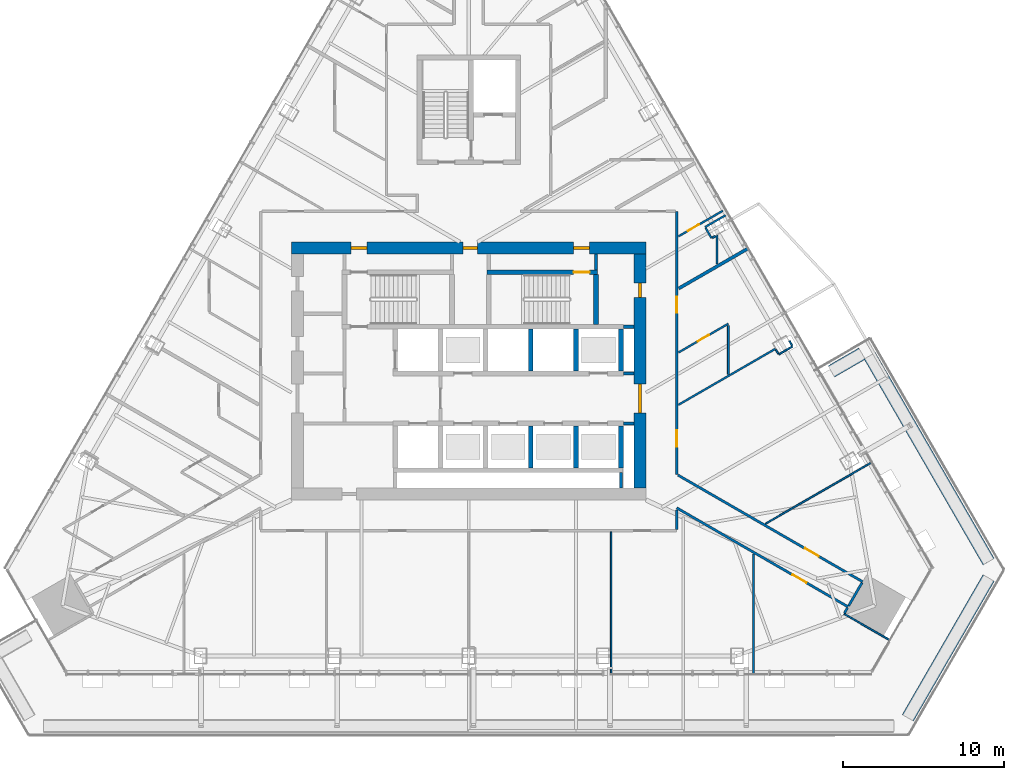
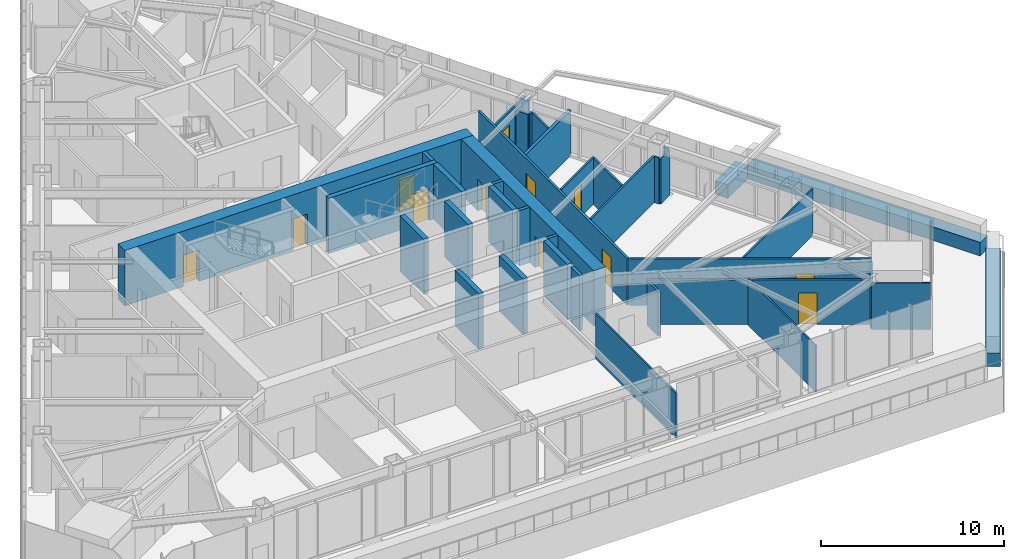
# One storey, part 16 of 21: 40 walls, 12 doors, 12 openings.
"""IFC4 building model written with IfcOpenShell, lengths in metres."""

from ifc_helpers import new_model, si_unit, direction, frame, frame_2d, origin, place, context, subcontext, project, spatial, rectangle, extrude, material, layer, layer_set, type_object, element, fill, save


model = new_model("IFC4")

# Units and contexts
model_context = context("Model", 3, precision=1e-05, world=origin(), true_north=direction((0.0, 1.0)))
body_context = subcontext(model_context, "Body", "Model", "MODEL_VIEW")
ifc_project = project(units=[si_unit("LENGTHUNIT", "METRE"), si_unit("AREAUNIT", "SQUARE_METRE"), si_unit("VOLUMEUNIT", "CUBIC_METRE"), si_unit("PLANEANGLEUNIT", "RADIAN"), si_unit("MASSUNIT", "GRAM", prefix="KILO")], contexts=[model_context])

# Site, building, storey
site_placement = place(None, origin())
site = spatial("IfcSite", under=ifc_project, at=site_placement, CompositionType="ELEMENT")
building_placement = place(site_placement, origin())
building = spatial("IfcBuilding", under=site, at=building_placement, Name="Firuza Gate Tower and Library", CompositionType="ELEMENT")
storey_placement = place(building_placement, frame((0.0, 0.0, 222.10009765625)))
storey = spatial("IfcBuildingStorey", under=building, at=storey_placement, Name="L52", CompositionType="ELEMENT", Elevation=222.10009765625)

# Walls
ifc_material_1 = material(Name="Plasterboard on steel studs", Category="steel")
ifc_layer_1 = layer(ifc_material_1, 0.199951171875)
ifc_layer_set_1 = layer_set([ifc_layer_1], Name="Core partition 200 EI 120")
wall_type_1 = type_object("IfcWallType", Name="Core partition 200 EI 120", PredefinedType="PARTITIONING", material=ifc_layer_set_1)
for number, where, z_axis, x_axis, name in (
    (1, (84.60009765625, 71.75, 0.0), (0.0, 0.0, 1.0), (1.0, 0.0, 0.0), "Core partition L52 2"),
    (2, (84.60009765625, 74.85009765625, 0.0), (0.0, 0.0, 1.0), (1.0, 0.0, 0.0), "Core partition L52 4"),
    (3, (84.60009765625, 77.75, 0.0), (0.0, 0.0, 1.0), (1.0, 0.0, 0.0), "Core partition L52 5"),
):
    element("IfcWall", number, at=place(storey_placement, frame(where, z_axis=z_axis, x_axis=x_axis)), inside=storey, type_object=wall_type_1, Name=name, PredefinedType="PARTITIONING", context=body_context, shape_type="SweptSolid", body=[
        extrude(rectangle(XDim=0.64990234375, YDim=0.199951171875, at=frame_2d((0.324951171875, 0.0))), origin(), (0.0, 0.0, 1.0), 3.699951171875),
    ])
wall_1_placement = place(storey_placement, frame((84.449951171875, 67.75, 0.0), z_axis=(0.0, 0.0, 1.0), x_axis=(0.0, 1.0, 0.0)))
element("IfcWall", 4, at=wall_1_placement, inside=storey, type_object=wall_type_1, Name="Core partition L52 14", PredefinedType="PARTITIONING", context=body_context, shape_type="SweptSolid", body=[
    extrude(rectangle(XDim=0.949951171875, YDim=0.199951171875, at=frame_2d((0.47509765625, 0.0))), origin(), (0.0, 0.0, 1.0), 3.699951171875),
])
ifc_material_2 = material(Name="Plasterboard on steel studs", Category="steel")
ifc_layer_2 = layer(ifc_material_2, 0.199951171875)
ifc_layer_set_2 = layer_set([ifc_layer_2], Name="Core partition 200 EI 60")
wall_type_2 = type_object("IfcWallType", Name="Core partition 200 EI 60", PredefinedType="PARTITIONING", material=ifc_layer_set_2)
wall_2_placement = place(storey_placement, frame((82.89990234375, 81.280029296875, 0.0), z_axis=(0.0, 0.0, 1.0), x_axis=(0.0, 1.0, 0.0)))
element("IfcWall", 5, at=wall_2_placement, inside=storey, type_object=wall_type_2, Name="Core partition L52 13", PredefinedType="PARTITIONING", context=body_context, shape_type="SweptSolid", body=[
    extrude(rectangle(XDim=0.969970703125, YDim=0.199951171875, at=frame_2d((0.48486328125, 0.0))), origin(), (0.0, 0.0, 1.0), 3.699951171875),
])
ifc_material_3 = material(Name="Concrete C80/95", Category="concrete")
ifc_layer_3 = layer(ifc_material_3, 0.300048828125)
ifc_layer_set_3 = layer_set([ifc_layer_3], Name="Core wall 300 C80/95")
wall_type_3 = type_object("IfcWallType", Name="Core wall 300 C80/95", PredefinedType="SHEAR", material=ifc_layer_set_3)
for number, where, z_axis, x_axis, name in (
    (6, (78.85009765625, 69.0, 0.0), (0.0, 0.0, 1.0), (0.0, 1.0, 0.0), "Core wall L52 14"),
    (7, (78.85009765625, 75.0, 0.0), (0.0, 0.0, 1.0), (0.0, 1.0, 0.0), "Core wall L52 15"),
    (8, (81.64990234375, 69.0, 0.0), (0.0, 0.0, 1.0), (0.0, 1.0, 0.0), "Core wall L52 16"),
    (9, (81.64990234375, 75.0, 0.0), (0.0, 0.0, 1.0), (0.0, 1.0, 0.0), "Core wall L52 17"),
    (10, (84.449951171875, 69.0, 0.0), (0.0, 0.0, 1.0), (0.0, 1.0, 0.0), "Core wall L52 18"),
    (11, (84.449951171875, 75.0, 0.0), (0.0, 0.0, 1.0), (0.0, 1.0, 0.0), "Core wall L52 19"),
):
    element("IfcWall", number, at=place(storey_placement, frame(where, z_axis=z_axis, x_axis=x_axis)), inside=storey, type_object=wall_type_3, Name=name, PredefinedType="SHEAR", context=body_context, shape_type="SweptSolid", body=[
        extrude(rectangle(XDim=2.60009765625, YDim=0.300048828125, at=frame_2d((1.300048828125, 0.0))), origin(), (0.0, 0.0, 1.0), 3.699951171875),
    ])

# Wall, opening, door
wall_3_placement = place(storey_placement, frame((76.139892578125, 81.1298828125, 0.0), z_axis=(0.0, 0.0, 1.0), x_axis=(1.0, 0.0, 0.0)))
wall_3 = element("IfcWall", 12, at=wall_3_placement, inside=storey, type_object=wall_type_3, Name="Core wall L52 22", PredefinedType="SHEAR", context=body_context, shape_type="SweptSolid", body=[
    extrude(rectangle(XDim=6.860107421875, YDim=0.300048828125, at=frame_2d((3.43017578125, 0.0))), origin(), (0.0, 0.0, 1.0), 3.699951171875),
])
opening_1_placement = place(wall_3_placement, frame((5.364990234375, 0.0, 0.0)))
opening_1 = element("IfcOpeningElement", 13, at=opening_1_placement, cuts=wall_3, Name="Opening L52-K13", PredefinedType="OPENING", context=body_context, shape_type="SweptSolid", body=[
    extrude(rectangle(XDim=1.0, YDim=2.10009765625, at=frame_2d((0.5, 1.050048828125))), frame((0.0, 0.16015625, 0.0), z_axis=(0.0, -1.0, 0.0), x_axis=(1.0, 0.0, 0.0)), (0.0, 0.0, 1.0), 0.320068359375),
])
ifc_material_4 = material(Name="Steel", Category="steel")
door_type_1 = type_object("IfcDoorType", Name="Fire door 1000x2100 FD90", OperationType="NOTDEFINED", PredefinedType="DOOR", material=ifc_material_4)
door_1_placement = place(opening_1_placement, origin())
door_1 = element("IfcDoor", 14, at=door_1_placement, inside=storey, type_object=door_type_1, Name="Door L52-K13", OperationType="SINGLE_SWING_RIGHT", OverallHeight=2.10009765625, OverallWidth=1.0, PredefinedType="DOOR", context=body_context, shape_type="SweptSolid", body=[
    extrude(rectangle(XDim=1.0, YDim=2.10009765625, at=frame_2d((0.5, 1.050048828125))), frame((0.0, 0.02490234375, 0.0), z_axis=(0.0, -1.0, 0.0), x_axis=(1.0, 0.0, 0.0)), (0.0, 0.0, 1.0), 0.050048828125),
])
fill(opening_1, door_1)

# Wall
wall_4_placement = place(storey_placement, frame((82.89990234375, 77.89990234375, 0.0), z_axis=(0.0, 0.0, 1.0), x_axis=(0.0, 1.0, 0.0)))
element("IfcWall", 15, at=wall_4_placement, inside=storey, type_object=wall_type_3, Name="Core wall L52 26", PredefinedType="SHEAR", context=body_context, shape_type="SweptSolid", body=[
    extrude(rectangle(XDim=3.080078125, YDim=0.300048828125, at=frame_2d((1.5400390625, 0.0))), origin(), (0.0, 0.0, 1.0), 3.699951171875),
])

# Wall, openings, doors
ifc_material_5 = material(Name="Concrete C80/95", Category="concrete")
ifc_layer_4 = layer(ifc_material_5, 0.75)
ifc_layer_set_4 = layer_set([ifc_layer_4], Name="Core wall 750 C80/95")
wall_type_4 = type_object("IfcWallType", Name="Core wall 750 C80/95", PredefinedType="SHEAR", material=ifc_layer_set_4)
wall_5_placement = place(storey_placement, frame((64.0, 82.625, 0.0), z_axis=(0.0, 0.0, 1.0), x_axis=(1.0, 0.0, 0.0)))
wall_5 = element("IfcWall", 16, at=wall_5_placement, inside=storey, type_object=wall_type_4, Name="Core wall L52 2", PredefinedType="SHEAR", context=body_context, shape_type="SweptSolid", body=[
    extrude(rectangle(XDim=22.0, YDim=0.75, at=frame_2d((11.0, 0.0))), origin(), (0.0, 0.0, 1.0), 3.699951171875),
])
opening_2_placement = place(wall_5_placement, frame((3.695068359375, 0.0, 0.0)))
opening_2 = element("IfcOpeningElement", 17, at=opening_2_placement, cuts=wall_5, Name="Opening L52-K12", PredefinedType="OPENING", context=body_context, shape_type="SweptSolid", body=[
    extrude(rectangle(XDim=1.0, YDim=2.10009765625, at=frame_2d((0.5, 1.050048828125))), frame((0.0, 0.385009765625, 0.0), z_axis=(0.0, -1.0, 0.0), x_axis=(1.0, 0.0, 0.0)), (0.0, 0.0, 1.0), 0.77001953125),
])
opening_3_placement = place(wall_5_placement, frame((17.5048828125, 0.0, 0.0)))
opening_3 = element("IfcOpeningElement", 18, at=opening_3_placement, cuts=wall_5, Name="Opening L52-K14", PredefinedType="OPENING", context=body_context, shape_type="SweptSolid", body=[
    extrude(rectangle(XDim=1.0, YDim=2.10009765625, at=frame_2d((0.5, 1.050048828125))), frame((0.0, 0.385009765625, 0.0), z_axis=(0.0, -1.0, 0.0), x_axis=(1.0, 0.0, 0.0)), (0.0, 0.0, 1.0), 0.77001953125),
])
opening_4_placement = place(wall_5_placement, frame((10.64990234375, 0.0, 0.0)))
opening_4 = element("IfcOpeningElement", 19, at=opening_4_placement, cuts=wall_5, Name="Opening L52-K25", PredefinedType="OPENING", context=body_context, shape_type="SweptSolid", body=[
    extrude(rectangle(XDim=0.89990234375, YDim=2.10009765625, at=frame_2d((0.449951171875, 1.050048828125))), frame((0.0, 0.385009765625, 0.0), z_axis=(0.0, -1.0, 0.0), x_axis=(1.0, 0.0, 0.0)), (0.0, 0.0, 1.0), 0.77001953125),
])
door_2_placement = place(opening_2_placement, origin())
door_2 = element("IfcDoor", 20, at=door_2_placement, inside=storey, type_object=door_type_1, Name="Door L52-K12", OperationType="SINGLE_SWING_LEFT", OverallHeight=2.10009765625, OverallWidth=1.0, PredefinedType="DOOR", context=body_context, shape_type="SweptSolid", body=[
    extrude(rectangle(XDim=1.0, YDim=2.10009765625, at=frame_2d((0.5, 1.050048828125))), frame((0.0, 0.094970703125, 0.0), z_axis=(0.0, -1.0, 0.0), x_axis=(1.0, 0.0, 0.0)), (0.0, 0.0, 1.0), 0.18994140625),
])
fill(opening_2, door_2)
door_3_placement = place(opening_3_placement, origin())
door_3 = element("IfcDoor", 21, at=door_3_placement, inside=storey, type_object=door_type_1, Name="Door L52-K14", OperationType="SINGLE_SWING_LEFT", OverallHeight=2.10009765625, OverallWidth=1.0, PredefinedType="DOOR", context=body_context, shape_type="SweptSolid", body=[
    extrude(rectangle(XDim=1.0, YDim=2.10009765625, at=frame_2d((0.5, 1.050048828125))), frame((0.0, 0.094970703125, 0.0), z_axis=(0.0, -1.0, 0.0), x_axis=(1.0, 0.0, 0.0)), (0.0, 0.0, 1.0), 0.18994140625),
])
fill(opening_3, door_3)
ifc_material_6 = material(Name="Steel", Category="steel")
door_type_2 = type_object("IfcDoorType", Name="Fire door 900x2100 FD30S", OperationType="NOTDEFINED", PredefinedType="DOOR", material=ifc_material_6)
door_4_placement = place(opening_4_placement, origin())
door_4 = element("IfcDoor", 22, at=door_4_placement, inside=storey, type_object=door_type_2, Name="Door L52-K25", OperationType="SINGLE_SWING_RIGHT", OverallHeight=2.10009765625, OverallWidth=0.89990234375, PredefinedType="DOOR", context=body_context, shape_type="SweptSolid", body=[
    extrude(rectangle(XDim=0.89990234375, YDim=2.10009765625, at=frame_2d((0.449951171875, 1.050048828125))), frame((0.0, 0.094970703125, 0.0), z_axis=(0.0, -1.0, 0.0), x_axis=(1.0, 0.0, 0.0)), (0.0, 0.0, 1.0), 0.18994140625),
])
fill(opening_4, door_4)

wall_6_placement = place(storey_placement, frame((85.625, 67.75, 0.0), z_axis=(0.0, 0.0, 1.0), x_axis=(0.0, 1.0, 0.0)))
wall_6 = element("IfcWall", 23, at=wall_6_placement, inside=storey, type_object=wall_type_4, Name="Core wall L52 4", PredefinedType="SHEAR", context=body_context, shape_type="SweptSolid", body=[
    extrude(rectangle(XDim=14.5, YDim=0.75, at=frame_2d((7.25, 0.0))), origin(), (0.0, 0.0, 1.0), 3.699951171875),
])
opening_5_placement = place(wall_6_placement, frame((4.64990234375, 0.0, 0.0)))
opening_5 = element("IfcOpeningElement", 24, at=opening_5_placement, cuts=wall_6, Name="Opening L52-K21", PredefinedType="OPENING", context=body_context, shape_type="SweptSolid", body=[
    extrude(rectangle(XDim=1.800048828125, YDim=2.10009765625, at=frame_2d((0.89990234375, 1.050048828125))), frame((0.0, 0.385009765625, 0.0), z_axis=(0.0, -1.0, 0.0), x_axis=(1.0, 0.0, 0.0)), (0.0, 0.0, 1.0), 0.77001953125),
])
opening_6_placement = place(wall_6_placement, frame((11.800048828125, 0.0, 0.0)))
opening_6 = element("IfcOpeningElement", 25, at=opening_6_placement, cuts=wall_6, Name="Opening L52-K26", PredefinedType="OPENING", context=body_context, shape_type="SweptSolid", body=[
    extrude(rectangle(XDim=0.89990234375, YDim=2.10009765625, at=frame_2d((0.449951171875, 1.050048828125))), frame((0.0, 0.385009765625, 0.0), z_axis=(0.0, -1.0, 0.0), x_axis=(1.0, 0.0, 0.0)), (0.0, 0.0, 1.0), 0.77001953125),
])
ifc_material_7 = material(Name="Steel", Category="steel")
door_type_3 = type_object("IfcDoorType", Name="Fire door 1800x2100 FD30S", OperationType="NOTDEFINED", PredefinedType="DOOR", material=ifc_material_7)
door_5_placement = place(opening_5_placement, origin())
door_5 = element("IfcDoor", 26, at=door_5_placement, inside=storey, type_object=door_type_3, Name="Door L52-K21", OperationType="SINGLE_SWING_RIGHT", OverallHeight=2.10009765625, OverallWidth=1.800048828125, PredefinedType="DOOR", context=body_context, shape_type="SweptSolid", body=[
    extrude(rectangle(XDim=1.800048828125, YDim=2.10009765625, at=frame_2d((0.89990234375, 1.050048828125))), frame((0.0, 0.094970703125, 0.0), z_axis=(0.0, -1.0, 0.0), x_axis=(1.0, 0.0, 0.0)), (0.0, 0.0, 1.0), 0.18994140625),
])
fill(opening_5, door_5)
door_6_placement = place(opening_6_placement, origin())
door_6 = element("IfcDoor", 27, at=door_6_placement, inside=storey, type_object=door_type_2, Name="Door L52-K26", OperationType="SINGLE_SWING_LEFT", OverallHeight=2.10009765625, OverallWidth=0.89990234375, PredefinedType="DOOR", context=body_context, shape_type="SweptSolid", body=[
    extrude(rectangle(XDim=0.89990234375, YDim=2.10009765625, at=frame_2d((0.449951171875, 1.050048828125))), frame((0.0, 0.094970703125, 0.0), z_axis=(0.0, -1.0, 0.0), x_axis=(1.0, 0.0, 0.0)), (0.0, 0.0, 1.0), 0.18994140625),
])
fill(opening_6, door_6)

# Walls
ifc_material_8 = material(Name="Gypsum board partition")
ifc_layer_5 = layer(ifc_material_8, 0.14990234375)
ifc_layer_set_5 = layer_set([ifc_layer_5], Name="Corridor wall 150 double board on steel studs")
wall_type_5 = type_object("IfcWallType", Name="Corridor wall 150 double board on steel studs", PredefinedType="PARTITIONING", material=ifc_layer_set_5)
wall_7_placement = place(storey_placement, frame((98.306396484375, 59.98583984375, 0.0), z_axis=(0.0, 0.0, 1.0), x_axis=(0.500136362069, 0.865946660792, 0.0)))
element("IfcWall", 28, at=wall_7_placement, inside=storey, type_object=wall_type_5, Name="f:L52:w033", PredefinedType="PARTITIONING", context=body_context, shape_type="SweptSolid", body=[
    extrude(rectangle(XDim=0.37451171875, YDim=0.14990234375, at=frame_2d((0.187255859375, 0.0))), origin(), (0.0, 0.0, 1.0), 3.099853515625),
])
wall_8_placement = place(storey_placement, frame((87.89990234375, 65.175537109375, 0.0), z_axis=(0.0, 0.0, 1.0), x_axis=(0.0, 1.0, 0.0)))
element("IfcWall", 29, at=wall_8_placement, inside=storey, type_object=wall_type_5, Name="f:L52:w041", PredefinedType="PARTITIONING", context=body_context, shape_type="SweptSolid", body=[
    extrude(rectangle(XDim=1.20068359375, YDim=0.14990234375, at=frame_2d((0.600341796875, 0.0))), origin(), (0.0, 0.0, 1.0), 2.947021484375),
])

# Wall, openings, doors
wall_9_placement = place(storey_placement, frame((87.89990234375, 84.8994140625, 0.0), z_axis=(0.0, 0.0, 1.0), x_axis=(0.0, -1.0, 0.0)))
wall_9 = element("IfcWall", 30, at=wall_9_placement, inside=storey, type_object=wall_type_5, Name="f:L52:w042", PredefinedType="PARTITIONING", context=body_context, shape_type="SweptSolid", body=[
    extrude(rectangle(XDim=16.30810546875, YDim=0.14990234375, at=frame_2d((8.154052734375, 0.0))), origin(), (0.0, 0.0, 1.0), 3.099853515625),
])
opening_7_placement = place(wall_9_placement, frame((5.29443359375, 0.0, 0.0)))
opening_7 = element("IfcOpeningElement", 31, at=opening_7_placement, cuts=wall_9, Name="Opening L52-17", PredefinedType="OPENING", context=body_context, shape_type="SweptSolid", body=[
    extrude(rectangle(XDim=1.0, YDim=2.10009765625, at=frame_2d((0.5, 1.050048828125))), frame((0.0, 0.0849609375, 0.0), z_axis=(0.0, -1.0, 0.0), x_axis=(1.0, 0.0, 0.0)), (0.0, 0.0, 1.0), 0.169921875),
])
opening_8_placement = place(wall_9_placement, frame((13.580322265625, 0.0, 0.0)))
opening_8 = element("IfcOpeningElement", 32, at=opening_8_placement, cuts=wall_9, Name="Opening L52-18", PredefinedType="OPENING", context=body_context, shape_type="SweptSolid", body=[
    extrude(rectangle(XDim=1.0, YDim=2.10009765625, at=frame_2d((0.5, 1.050048828125))), frame((0.0, 0.0849609375, 0.0), z_axis=(0.0, -1.0, 0.0), x_axis=(1.0, 0.0, 0.0)), (0.0, 0.0, 1.0), 0.169921875),
])
ifc_material_9 = material(Name="Steel door and timber leaf", Category="steel")
door_type_4 = type_object("IfcDoorType", Name="Fire door 1000 x 2100 steel frame, timber leaf", OperationType="NOTDEFINED", PredefinedType="DOOR", material=ifc_material_9)
door_7_placement = place(opening_7_placement, origin())
door_7 = element("IfcDoor", 33, at=door_7_placement, inside=storey, type_object=door_type_4, Name="f:L52:d017", OperationType="SINGLE_SWING_RIGHT", OverallHeight=2.10009765625, OverallWidth=1.0, PredefinedType="DOOR", context=body_context, shape_type="SweptSolid", body=[
    extrude(rectangle(XDim=1.0, YDim=2.10009765625, at=frame_2d((0.5, 1.050048828125))), frame((0.0, 0.02490234375, 0.0), z_axis=(0.0, -1.0, 0.0), x_axis=(1.0, 0.0, 0.0)), (0.0, 0.0, 1.0), 0.050048828125),
])
fill(opening_7, door_7)
door_8_placement = place(opening_8_placement, origin())
door_8 = element("IfcDoor", 34, at=door_8_placement, inside=storey, type_object=door_type_4, Name="f:L52:d018", OperationType="SINGLE_SWING_LEFT", OverallHeight=2.10009765625, OverallWidth=1.0, PredefinedType="DOOR", context=body_context, shape_type="SweptSolid", body=[
    extrude(rectangle(XDim=1.0, YDim=2.10009765625, at=frame_2d((0.5, 1.050048828125))), frame((0.0, 0.02490234375, 0.0), z_axis=(0.0, -1.0, 0.0), x_axis=(1.0, 0.0, 0.0)), (0.0, 0.0, 1.0), 0.050048828125),
])
fill(opening_8, door_8)

# Wall, opening, door
wall_10_placement = place(storey_placement, frame((87.97509765625, 68.548095703125, 0.0), z_axis=(0.0, 0.0, 1.0), x_axis=(0.866030071145, -0.499991915808, 0.0)))
wall_10 = element("IfcWall", 35, at=wall_10_placement, inside=storey, type_object=wall_type_5, Name="f:L52:w073", PredefinedType="PARTITIONING", context=body_context, shape_type="SweptSolid", body=[
    extrude(rectangle(XDim=13.228271484375, YDim=0.14990234375, at=frame_2d((6.6142578125, 0.0))), origin(), (0.0, 0.0, 1.0), 3.099853515625),
])
opening_9_placement = place(wall_10_placement, frame((9.090087890625, 0.0, 0.0)))
opening_9 = element("IfcOpeningElement", 36, at=opening_9_placement, cuts=wall_10, Name="Opening L52-32", PredefinedType="OPENING", context=body_context, shape_type="SweptSolid", body=[
    extrude(rectangle(XDim=1.0, YDim=2.10009765625, at=frame_2d((0.5, 1.050048828125))), frame((0.0, 0.0849609375, 0.0), z_axis=(0.0, -1.0, 0.0), x_axis=(1.0, 0.0, 0.0)), (0.0, 0.0, 1.0), 0.169921875),
])
door_9_placement = place(opening_9_placement, origin())
door_9 = element("IfcDoor", 37, at=door_9_placement, inside=storey, type_object=door_type_4, Name="f:L52:d032", OperationType="SINGLE_SWING_RIGHT", OverallHeight=2.10009765625, OverallWidth=1.0, PredefinedType="DOOR", context=body_context, shape_type="SweptSolid", body=[
    extrude(rectangle(XDim=1.0, YDim=2.10009765625, at=frame_2d((0.5, 1.050048828125))), frame((0.0, 0.02490234375, 0.0), z_axis=(0.0, -1.0, 0.0), x_axis=(1.0, 0.0, 0.0)), (0.0, 0.0, 1.0), 0.050048828125),
])
fill(opening_9, door_9)

wall_11_placement = place(storey_placement, frame((98.531494140625, 60.375, 0.0), z_axis=(0.0, 0.0, 1.0), x_axis=(-0.866027942666, 0.499995602502, 0.0)))
wall_11 = element("IfcWall", 38, at=wall_11_placement, inside=storey, type_object=wall_type_5, Name="f:L52:w074", PredefinedType="PARTITIONING", context=body_context, shape_type="SweptSolid", body=[
    extrude(rectangle(XDim=12.27587890625, YDim=0.14990234375, at=frame_2d((6.137939453125, 0.0))), origin(), (0.0, 0.0, 1.0), 2.947021484375),
])
opening_10_placement = place(wall_11_placement, frame((2.990234375, 0.0, 0.0)))
opening_10 = element("IfcOpeningElement", 39, at=opening_10_placement, cuts=wall_11, Name="Opening L52-33", PredefinedType="OPENING", context=body_context, shape_type="SweptSolid", body=[
    extrude(rectangle(XDim=1.0, YDim=2.10009765625, at=frame_2d((0.5, 1.050048828125))), frame((0.0, 0.0849609375, 0.0), z_axis=(0.0, -1.0, 0.0), x_axis=(1.0, 0.0, 0.0)), (0.0, 0.0, 1.0), 0.169921875),
])
door_10_placement = place(opening_10_placement, origin())
door_10 = element("IfcDoor", 40, at=door_10_placement, inside=storey, type_object=door_type_4, Name="f:L52:d033", OperationType="SINGLE_SWING_RIGHT", OverallHeight=2.10009765625, OverallWidth=1.0, PredefinedType="DOOR", context=body_context, shape_type="SweptSolid", body=[
    extrude(rectangle(XDim=1.0, YDim=2.10009765625, at=frame_2d((0.5, 1.050048828125))), frame((0.0, 0.02490234375, 0.0), z_axis=(0.0, -1.0, 0.0), x_axis=(1.0, 0.0, 0.0)), (0.0, 0.0, 1.0), 0.050048828125),
])
fill(opening_10, door_10)

# Walls
wall_12_placement = place(storey_placement, frame((98.56884765625, 60.440185546875, 0.0), z_axis=(0.0, 0.0, 1.0), x_axis=(0.500055614084, 0.865993292597, 0.0)))
element("IfcWall", 41, at=wall_12_placement, inside=storey, type_object=wall_type_5, Name="f:L52:w088", PredefinedType="PARTITIONING", context=body_context, shape_type="SweptSolid", body=[
    extrude(rectangle(XDim=1.649169921875, YDim=0.14990234375, at=frame_2d((0.82470703125, 0.0))), origin(), (0.0, 0.0, 1.0), 2.947021484375),
])
ifc_material_10 = material(Name="Gypsum board partition")
ifc_layer_6 = layer(ifc_material_10, 0.199951171875)
ifc_layer_set_6 = layer_set([ifc_layer_6], Name="Demising wall 200 acoustic double stud")
wall_type_6 = type_object("IfcWallType", Name="Demising wall 200 acoustic double stud", PredefinedType="PARTITIONING", material=ifc_layer_set_6)
wall_13_placement = place(storey_placement, frame((88.026611328125, 80.120361328125, 0.0), z_axis=(0.0, 0.0, 1.0), x_axis=(0.866024509183, 0.500001549491, 0.0)))
element("IfcWall", 42, at=wall_13_placement, inside=storey, type_object=wall_type_6, Name="f:L52:w016", PredefinedType="PARTITIONING", context=body_context, shape_type="SweptSolid", body=[
    extrude(rectangle(XDim=4.921875, YDim=0.199951171875, at=frame_2d((2.4609375, 0.0))), origin(), (0.0, 0.0, 1.0), 3.02197265625),
])
ifc_material_11 = material(Name="Gypsum board partition")
ifc_layer_7 = layer(ifc_material_11, 0.10009765625)
ifc_layer_set_7 = layer_set([ifc_layer_7], Name="Partition 100 gypsum board on steel studs")
wall_type_7 = type_object("IfcWallType", Name="Partition 100 gypsum board on steel studs", PredefinedType="PARTITIONING", material=ifc_layer_set_7)
wall_14_placement = place(storey_placement, frame((93.406005859375, 65.529296875, 0.0), z_axis=(0.0, 0.0, 1.0), x_axis=(0.866032295486, 0.499988063033, 0.0)))
element("IfcWall", 43, at=wall_14_placement, inside=storey, type_object=wall_type_7, Name="f:L52:w012", PredefinedType="PARTITIONING", context=body_context, shape_type="SweptSolid", body=[
    extrude(rectangle(XDim=7.558837890625, YDim=0.10009765625, at=frame_2d((3.779296875, 0.0))), origin(), (0.0, 0.0, 1.0), 3.099853515625),
])
wall_15_placement = place(storey_placement, frame((94.223388671875, 76.031982421875, 0.0), z_axis=(0.0, 0.0, 1.0), x_axis=(0.86597798544, 0.50008212199, 0.0)))
element("IfcWall", 44, at=wall_15_placement, inside=storey, type_object=wall_type_7, Name="f:L52:w013", PredefinedType="PARTITIONING", context=body_context, shape_type="SweptSolid", body=[
    extrude(rectangle(XDim=0.998779296875, YDim=0.10009765625, at=frame_2d((0.49951171875, 0.0))), origin(), (0.0, 0.0, 1.0), 3.02197265625),
])
wall_16_placement = place(storey_placement, frame((92.662109375, 56.236572265625, 0.0), z_axis=(0.0, 0.0, 1.0), x_axis=(0.0, 1.0, 0.0)))
element("IfcWall", 45, at=wall_16_placement, inside=storey, type_object=wall_type_7, Name="f:L52:w038", PredefinedType="PARTITIONING", context=body_context, shape_type="SweptSolid", body=[
    extrude(rectangle(XDim=7.410400390625, YDim=0.10009765625, at=frame_2d((3.705078125, 0.0))), origin(), (0.0, 0.0, 1.0), 3.099853515625),
])
wall_17_placement = place(storey_placement, frame((83.8310546875, 56.236572265625, 0.0), z_axis=(0.0, 0.0, 1.0), x_axis=(0.0, 1.0, 0.0)))
element("IfcWall", 46, at=wall_17_placement, inside=storey, type_object=wall_type_7, Name="f:L52:w043", PredefinedType="PARTITIONING", context=body_context, shape_type="SweptSolid", body=[
    extrude(rectangle(XDim=8.788330078125, YDim=0.10009765625, at=frame_2d((4.39404296875, 0.0))), origin(), (0.0, 0.0, 1.0), 3.02197265625),
])
wall_18_placement = place(storey_placement, frame((95.063232421875, 76.57568359375, 0.0), z_axis=(0.0, 0.0, 1.0), x_axis=(-0.500126092966, 0.865952591736, 0.0)))
element("IfcWall", 47, at=wall_18_placement, inside=storey, type_object=wall_type_7, Name="f:L52:w062", PredefinedType="PARTITIONING", context=body_context, shape_type="SweptSolid", body=[
    extrude(rectangle(XDim=0.34912109375, YDim=0.10009765625, at=frame_2d((0.174560546875, 0.0))), origin(), (0.0, 0.0, 1.0), 3.099853515625),
])
wall_19_placement = place(storey_placement, frame((94.197265625, 76.07568359375, 0.0), z_axis=(0.0, 0.0, 1.0), x_axis=(-0.500136839105, 0.865946385275, 0.0)))
element("IfcWall", 48, at=wall_19_placement, inside=storey, type_object=wall_type_7, Name="f:L52:w064", PredefinedType="PARTITIONING", context=body_context, shape_type="SweptSolid", body=[
    extrude(rectangle(XDim=0.2890625, YDim=0.10009765625, at=frame_2d((0.14453125, 0.0))), origin(), (0.0, 0.0, 1.0), 3.099853515625),
])
wall_20_placement = place(storey_placement, frame((101.104736328125, 58.31201171875, 0.0), z_axis=(0.0, 0.0, 1.0), x_axis=(-0.866035906198, 0.499981808845, 0.0)))
element("IfcWall", 49, at=wall_20_placement, inside=storey, type_object=wall_type_7, Name="f:L52:w075", PredefinedType="PARTITIONING", context=body_context, shape_type="SweptSolid", body=[
    extrude(rectangle(XDim=3.25927734375, YDim=0.10009765625, at=frame_2d((1.629638671875, 0.0))), origin(), (0.0, 0.0, 1.0), 3.099853515625),
])
ifc_material_12 = material(Name="Concrete C40/50", Category="concrete")
ifc_layer_8 = layer(ifc_material_12, 0.800048828125)
ifc_layer_set_8 = layer_set([ifc_layer_8], Name="Planter wall 800")
wall_type_8 = type_object("IfcWallType", Name="Planter wall 800", PredefinedType="SOLIDWALL", material=ifc_layer_set_8)
wall_21_placement = place(storey_placement, frame((102.23583984375, 53.490966796875, 0.0), z_axis=(0.0, 0.0, 1.0), x_axis=(0.50001002959, 0.86601961312, 0.0)))
element("IfcWall", 50, at=wall_21_placement, inside=storey, type_object=wall_type_8, Name="PLANTER L52 4", PredefinedType="SOLIDWALL", context=body_context, shape_type="SweptSolid", body=[
    extrude(rectangle(XDim=10.018798828125, YDim=0.800048828125, at=frame_2d((5.00927734375, 0.0))), origin(), (0.0, 0.0, 1.0), 0.89990234375),
])
wall_22_placement = place(storey_placement, frame((107.245361328125, 63.17626953125, 0.0), z_axis=(0.0, 0.0, 1.0), x_axis=(-0.499998123212, 0.866026487346, 0.0)))
element("IfcWall", 51, at=wall_22_placement, inside=storey, type_object=wall_type_8, Name="PLANTER L52 5", PredefinedType="SOLIDWALL", context=body_context, shape_type="SweptSolid", body=[
    extrude(rectangle(XDim=14.74462890625, YDim=0.800048828125, at=frame_2d((7.372314453125, 0.0))), origin(), (0.0, 0.0, 1.0), 0.89990234375),
])
wall_23_placement = place(storey_placement, frame((99.394775390625, 76.07373046875, 0.0), z_axis=(0.0, 0.0, 1.0), x_axis=(-0.866008176907, -0.50002983664, 0.0)))
element("IfcWall", 52, at=wall_23_placement, inside=storey, type_object=wall_type_8, Name="PLANTER L52 6", PredefinedType="SOLIDWALL", context=body_context, shape_type="SweptSolid", body=[
    extrude(rectangle(XDim=2.199951171875, YDim=0.800048828125, at=frame_2d((1.10009765625, 0.0))), origin(), (0.0, 0.0, 1.0), 0.89990234375),
])
ifc_material_13 = material(Name="Gypsum board partition")
ifc_layer_9 = layer(ifc_material_13, 0.1201171875)
ifc_layer_set_9 = layer_set([ifc_layer_9], Name="Wet-area partition 120 moisture-resistant board")
wall_type_9 = type_object("IfcWallType", Name="Wet-area partition 120 moisture-resistant board", PredefinedType="PARTITIONING", material=ifc_layer_set_9)
wall_24_placement = place(storey_placement, frame((88.009765625, 72.906494140625, 0.0), z_axis=(0.0, 0.0, 1.0), x_axis=(0.866025136247, 0.500000463387, 0.0)))
element("IfcWall", 53, at=wall_24_placement, inside=storey, type_object=wall_type_9, Name="f:L52:w014", PredefinedType="PARTITIONING", context=body_context, shape_type="SweptSolid", body=[
    extrude(rectangle(XDim=6.94287109375, YDim=0.1201171875, at=frame_2d((3.471435546875, 0.0))), origin(), (0.0, 0.0, 1.0), 3.099853515625),
])

# Wall, opening, door
wall_25_placement = place(storey_placement, frame((91.099853515625, 77.932861328125, 0.0), z_axis=(0.0, 0.0, 1.0), x_axis=(-0.866045460162, -0.499965259726, 0.0)))
wall_25 = element("IfcWall", 54, at=wall_25_placement, inside=storey, type_object=wall_type_9, Name="f:L52:w015", PredefinedType="PARTITIONING", context=body_context, shape_type="SweptSolid", body=[
    extrude(rectangle(XDim=3.568603515625, YDim=0.1201171875, at=frame_2d((1.7841796875, 0.0))), origin(), (0.0, 0.0, 1.0), 3.099853515625),
])
opening_11_placement = place(wall_25_placement, frame((1.38427734375, 0.0, 0.0)))
opening_11 = element("IfcOpeningElement", 55, at=opening_11_placement, cuts=wall_25, Name="Opening L52-10", PredefinedType="OPENING", context=body_context, shape_type="SweptSolid", body=[
    extrude(rectangle(XDim=0.800048828125, YDim=2.10009765625, at=frame_2d((0.39990234375, 1.050048828125))), frame((0.0, 0.070068359375, 0.0), z_axis=(0.0, -1.0, 0.0), x_axis=(1.0, 0.0, 0.0)), (0.0, 0.0, 1.0), 0.14013671875),
])
ifc_material_14 = material(Name="Timber door", Category="wood")
door_type_5 = type_object("IfcDoorType", Name="Door 800 x 2100 timber leaf", OperationType="NOTDEFINED", PredefinedType="DOOR", material=ifc_material_14)
door_11_placement = place(opening_11_placement, origin())
door_11 = element("IfcDoor", 56, at=door_11_placement, inside=storey, type_object=door_type_5, Name="f:L52:d010", OperationType="SINGLE_SWING_LEFT", OverallHeight=2.10009765625, OverallWidth=0.800048828125, PredefinedType="DOOR", context=body_context, shape_type="SweptSolid", body=[
    extrude(rectangle(XDim=0.800048828125, YDim=2.10009765625, at=frame_2d((0.39990234375, 1.050048828125))), frame((0.0, 0.02490234375, 0.0), z_axis=(0.0, -1.0, 0.0), x_axis=(1.0, 0.0, 0.0)), (0.0, 0.0, 1.0), 0.050048828125),
])
fill(opening_11, door_11)

# Walls
wall_26_placement = place(storey_placement, frame((90.115966796875, 83.265380859375, 0.0), z_axis=(0.0, 0.0, 1.0), x_axis=(0.866036909293, 0.499980071345, 0.0)))
element("IfcWall", 57, at=wall_26_placement, inside=storey, type_object=wall_type_9, Name="f:L52:w019", PredefinedType="PARTITIONING", context=body_context, shape_type="SweptSolid", body=[
    extrude(rectangle(XDim=0.21875, YDim=0.1201171875, at=frame_2d((0.109375, 0.0))), origin(), (0.0, 0.0, 1.0), 3.099853515625),
])
wall_27_placement = place(storey_placement, frame((89.663818359375, 83.92822265625, 0.0), z_axis=(0.0, 0.0, 1.0), x_axis=(0.866032430508, 0.49998782916, 0.0)))
element("IfcWall", 58, at=wall_27_placement, inside=storey, type_object=wall_type_9, Name="f:L52:w020", PredefinedType="PARTITIONING", context=body_context, shape_type="SweptSolid", body=[
    extrude(rectangle(XDim=1.4599609375, YDim=0.1201171875, at=frame_2d((0.72998046875, 0.0))), origin(), (0.0, 0.0, 1.0), 3.02197265625),
])

# Wall, opening, door
wall_28_placement = place(storey_placement, frame((90.764404296875, 84.942138671875, 0.0), z_axis=(0.0, 0.0, 1.0), x_axis=(-0.866052668871, -0.499952772512, 0.0)))
wall_28 = element("IfcWall", 59, at=wall_28_placement, inside=storey, type_object=wall_type_9, Name="f:L52:w021", PredefinedType="PARTITIONING", context=body_context, shape_type="SweptSolid", body=[
    extrude(rectangle(XDim=3.180908203125, YDim=0.1201171875, at=frame_2d((1.59033203125, 0.0))), origin(), (0.0, 0.0, 1.0), 3.02197265625),
])
opening_12_placement = place(wall_28_placement, frame((1.700927734375, 0.0, 0.0)))
opening_12 = element("IfcOpeningElement", 60, at=opening_12_placement, cuts=wall_28, Name="Opening L52-12", PredefinedType="OPENING", context=body_context, shape_type="SweptSolid", body=[
    extrude(rectangle(XDim=0.800048828125, YDim=2.10009765625, at=frame_2d((0.39990234375, 1.050048828125))), frame((0.0, 0.070068359375, 0.0), z_axis=(0.0, -1.0, 0.0), x_axis=(1.0, 0.0, 0.0)), (0.0, 0.0, 1.0), 0.14013671875),
])
door_12_placement = place(opening_12_placement, origin())
door_12 = element("IfcDoor", 61, at=door_12_placement, inside=storey, type_object=door_type_5, Name="f:L52:d012", OperationType="SINGLE_SWING_LEFT", OverallHeight=2.10009765625, OverallWidth=0.800048828125, PredefinedType="DOOR", context=body_context, shape_type="SweptSolid", body=[
    extrude(rectangle(XDim=0.800048828125, YDim=2.10009765625, at=frame_2d((0.39990234375, 1.050048828125))), frame((0.0, 0.02490234375, 0.0), z_axis=(0.0, -1.0, 0.0), x_axis=(1.0, 0.0, 0.0)), (0.0, 0.0, 1.0), 0.050048828125),
])
fill(opening_12, door_12)

# Walls
wall_29_placement = place(storey_placement, frame((91.10009765625, 74.80029296875, 0.0), z_axis=(0.0, 0.0, 1.0), x_axis=(0.0, 1.0, 0.0)))
element("IfcWall", 62, at=wall_29_placement, inside=storey, type_object=wall_type_9, Name="f:L52:w039", PredefinedType="PARTITIONING", context=body_context, shape_type="SweptSolid", body=[
    extrude(rectangle(XDim=3.02294921875, YDim=0.1201171875, at=frame_2d((1.511474609375, 0.0))), origin(), (0.0, 0.0, 1.0), 3.099853515625),
])
wall_30_placement = place(storey_placement, frame((90.39990234375, 81.6455078125, 0.0), z_axis=(0.0, 0.0, 1.0), x_axis=(0.0, 1.0, 0.0)))
element("IfcWall", 63, at=wall_30_placement, inside=storey, type_object=wall_type_9, Name="f:L52:w040", PredefinedType="PARTITIONING", context=body_context, shape_type="SweptSolid", body=[
    extrude(rectangle(XDim=1.78369140625, YDim=0.1201171875, at=frame_2d((0.891845703125, 0.0))), origin(), (0.0, 0.0, 1.0), 3.02197265625),
])
wall_31_placement = place(storey_placement, frame((90.063720703125, 83.235107421875, 0.0), z_axis=(0.0, 0.0, 1.0), x_axis=(-0.500112705049, 0.865960323715, 0.0)))
element("IfcWall", 64, at=wall_31_placement, inside=storey, type_object=wall_type_9, Name="f:L52:w065", PredefinedType="PARTITIONING", context=body_context, shape_type="SweptSolid", body=[
    extrude(rectangle(XDim=0.739990234375, YDim=0.1201171875, at=frame_2d((0.3701171875, 0.0))), origin(), (0.0, 0.0, 1.0), 3.099853515625),
])

save(model, "model.ifc")
